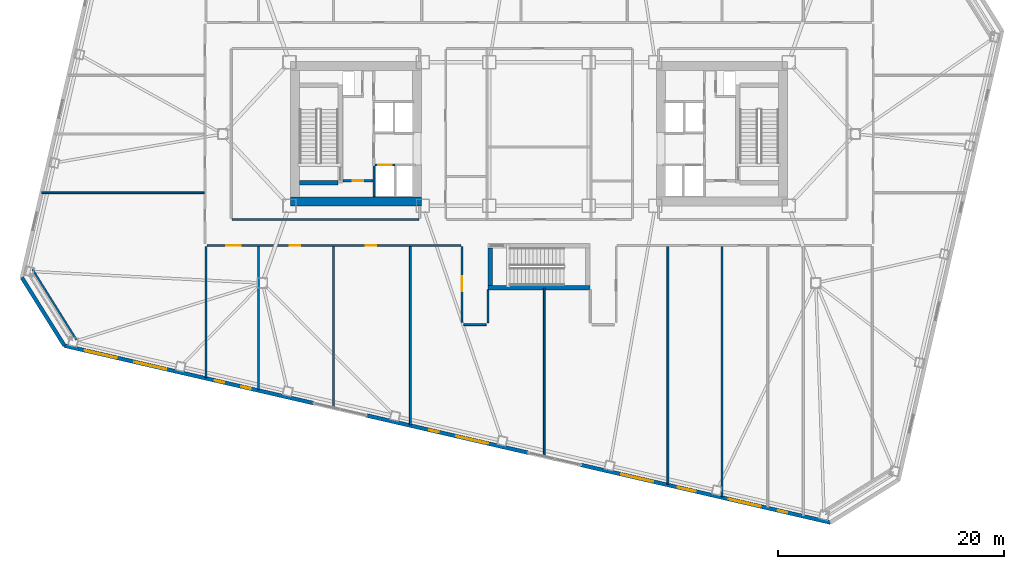
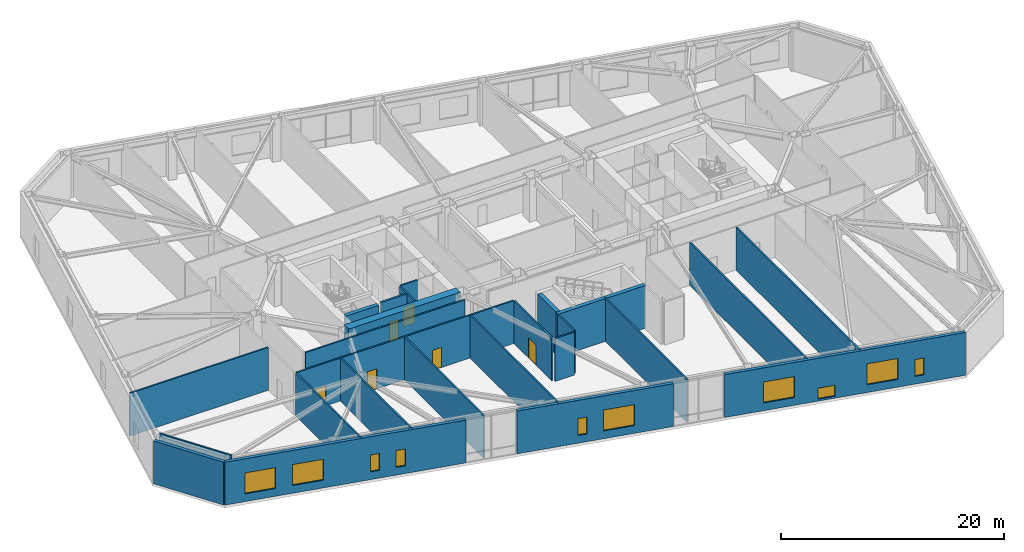
# One storey, part 9 of 20: 25 walls, 10 windows, 6 doors, 16 openings.
"""IFC4 building model written with IfcOpenShell, lengths in metres."""

from ifc_helpers import new_model, si_unit, direction, frame, frame_2d, origin, place, context, subcontext, project, spatial, rectangle, extrude, material, layer, layer_set, type_object, element, fill, save


model = new_model("IFC4")

# Units and contexts
model_context = context("Model", 3, precision=1e-05, world=origin(), true_north=direction((0.0, 1.0)))
body_context = subcontext(model_context, "Body", "Model", "MODEL_VIEW")
ifc_project = project(units=[si_unit("LENGTHUNIT", "METRE"), si_unit("AREAUNIT", "SQUARE_METRE"), si_unit("VOLUMEUNIT", "CUBIC_METRE"), si_unit("PLANEANGLEUNIT", "RADIAN"), si_unit("MASSUNIT", "GRAM", prefix="KILO")], contexts=[model_context])

# Site, building, storey
site_placement = place(None, origin())
site = spatial("IfcSite", under=ifc_project, at=site_placement, CompositionType="ELEMENT")
building_placement = place(site_placement, origin())
building = spatial("IfcBuilding", under=site, at=building_placement, Name="Tavrogorsk Clinical Tower", CompositionType="ELEMENT")
storey_placement = place(building_placement, frame((0.0, 0.0, 18.39990234375)))
storey = spatial("IfcBuildingStorey", under=building, at=storey_placement, Name="L03", CompositionType="ELEMENT", Elevation=18.39990234375)

# Wall, opening, door
ifc_material_1 = material(Name="Concrete B60", Category="concrete")
ifc_layer_1 = layer(ifc_material_1, 0.199951171875)
ifc_layer_set_1 = layer_set([ifc_layer_1], Name="Concrete B60")
wall_type_1 = type_object("IfcWallType", Name="CoreFireWall_200", PredefinedType="SOLIDWALL", material=ifc_layer_set_1)
wall_1_placement = place(storey_placement, frame((-17.3798828125, -4.139892578125, 0.0), z_axis=(0.0, 0.0, 1.0), x_axis=(1.0, 0.0, 0.0)))
wall_1 = element("IfcWall", 1, at=wall_1_placement, inside=storey, type_object=wall_type_1, Name="L03 Core West South Core Room Fire Wall", PredefinedType="SOLIDWALL", context=body_context, shape_type="SweptSolid", body=[
    extrude(rectangle(XDim=2.659912109375, YDim=0.199951171875, at=frame_2d((1.330078125, 0.0))), origin(), (0.0, 0.0, 1.0), 4.7001953125),
])
opening_1_placement = place(wall_1_placement, frame((0.8798828125, 0.0, 0.0)))
opening_1 = element("IfcOpeningElement", 2, at=opening_1_placement, cuts=wall_1, Name="Opening ID-02", PredefinedType="OPENING", context=body_context, shape_type="SweptSolid", body=[
    extrude(rectangle(XDim=0.949951171875, YDim=2.199951171875, at=frame_2d((0.47509765625, 1.10009765625))), frame((0.0, 0.10986328125, 0.0), z_axis=(0.0, -1.0, 0.0), x_axis=(1.0, 0.0, 0.0)), (0.0, 0.0, 1.0), 0.219970703125),
])
ifc_material_2 = material(Name="Laminated timber leaf on aluminium frame", Category="wood")
door_type_1 = type_object("IfcDoorType", Name="InteriorDoor_ID02_950", OperationType="NOTDEFINED", PredefinedType="DOOR", material=ifc_material_2)
door_1_placement = place(opening_1_placement, origin())
door_1 = element("IfcDoor", 3, at=door_1_placement, inside=storey, type_object=door_type_1, Name="L03 Core West South Core Room Door", OperationType="SINGLE_SWING_RIGHT", OverallHeight=2.199951171875, OverallWidth=0.949951171875, PredefinedType="DOOR", context=body_context, shape_type="SweptSolid", body=[
    extrude(rectangle(XDim=0.949951171875, YDim=2.199951171875, at=frame_2d((0.47509765625, 1.10009765625))), frame((0.0, 0.02490234375, 0.0), z_axis=(0.0, -1.0, 0.0), x_axis=(1.0, 0.0, 0.0)), (0.0, 0.0, 1.0), 0.050048828125),
])
fill(opening_1, door_1)

# Walls
ifc_material_3 = material(Name="Lightweight concrete blockwork B15", Category="masonry")
ifc_layer_2 = layer(ifc_material_3, 0.159912109375)
ifc_layer_set_2 = layer_set([ifc_layer_2], Name="Lightweight concrete blockwork B15")
wall_type_2 = type_object("IfcWallType", Name="PartitionWall_160", PredefinedType="PARTITIONING", material=ifc_layer_set_2)
wall_2_placement = place(storey_placement, frame((-44.85986328125, -11.9892578125, 0.0), z_axis=(0.0, 0.0, 1.0), x_axis=(0.52991239767, -0.848052386823, 0.0)))
element("IfcWall", 4, at=wall_2_placement, inside=storey, type_object=wall_type_2, Name="L03 Corner Exoskeleton Brace Furring Wall 4", PredefinedType="PARTITIONING", context=body_context, shape_type="SweptSolid", body=[
    extrude(rectangle(XDim=7.35400390625, YDim=0.159912109375, at=frame_2d((3.677001953125, 0.0))), origin(), (0.0, 0.0, 1.0), 4.7001953125),
])
wall_3_placement = place(storey_placement, frame((-4.52001953125, -13.800048828125, 0.0), z_axis=(0.0, 0.0, 1.0), x_axis=(0.0, -1.0, 0.0)))
element("IfcWall", 5, at=wall_3_placement, inside=storey, type_object=wall_type_2, Name="L03 Corridor Partition 08", PredefinedType="PARTITIONING", context=body_context, shape_type="SweptSolid", body=[
    extrude(rectangle(XDim=2.9150390625, YDim=0.159912109375, at=frame_2d((1.45751953125, 0.0))), origin(), (0.0, 0.0, 1.0), 4.7001953125),
])
wall_4_placement = place(storey_placement, frame((-4.68505859375, -16.8798828125, 0.0), z_axis=(0.0, 0.0, 1.0), x_axis=(-1.0, 0.0, 0.0)))
element("IfcWall", 6, at=wall_4_placement, inside=storey, type_object=wall_type_2, Name="L03 Corridor Partition 09", PredefinedType="PARTITIONING", context=body_context, shape_type="SweptSolid", body=[
    extrude(rectangle(XDim=1.97998046875, YDim=0.159912109375, at=frame_2d((0.989990234375, 0.0))), origin(), (0.0, 0.0, 1.0), 4.7001953125),
])

# Wall, opening, door
wall_5_placement = place(storey_placement, frame((-6.830078125, -16.715087890625, 0.0), z_axis=(0.0, 0.0, 1.0), x_axis=(0.0, 1.0, 0.0)))
wall_5 = element("IfcWall", 7, at=wall_5_placement, inside=storey, type_object=wall_type_2, Name="L03 Corridor Partition 10", PredefinedType="PARTITIONING", context=body_context, shape_type="SweptSolid", body=[
    extrude(rectangle(XDim=6.75, YDim=0.159912109375, at=frame_2d((3.375, 0.0))), origin(), (0.0, 0.0, 1.0), 4.7001953125),
])
opening_2_placement = place(wall_5_placement, frame((2.81005859375, 0.0, 0.0)))
opening_2 = element("IfcOpeningElement", 8, at=opening_2_placement, cuts=wall_5, Name="Opening ID-01", PredefinedType="OPENING", context=body_context, shape_type="SweptSolid", body=[
    extrude(rectangle(XDim=1.300048828125, YDim=2.199951171875, at=frame_2d((0.64990234375, 1.10009765625))), frame((0.0, 0.08984375, 0.0), z_axis=(0.0, -1.0, 0.0), x_axis=(1.0, 0.0, 0.0)), (0.0, 0.0, 1.0), 0.179931640625),
])
ifc_material_4 = material(Name="Antibacterial HPL medical leaf on aluminium frame", Category="aluminium")
door_type_2 = type_object("IfcDoorType", Name="WardBedDoor_ID01_1300", OperationType="NOTDEFINED", PredefinedType="DOOR", material=ifc_material_4)
door_2_placement = place(opening_2_placement, origin())
door_2 = element("IfcDoor", 9, at=door_2_placement, inside=storey, type_object=door_type_2, Name="L03 South Surgical Post-Anaesthesia Recovery 04A Door", OperationType="SINGLE_SWING_RIGHT", OverallHeight=2.199951171875, OverallWidth=1.300048828125, PredefinedType="DOOR", context=body_context, shape_type="SweptSolid", body=[
    extrude(rectangle(XDim=1.300048828125, YDim=2.199951171875, at=frame_2d((0.64990234375, 1.10009765625))), frame((0.0, 0.02490234375, 0.0), z_axis=(0.0, -1.0, 0.0), x_axis=(1.0, 0.0, 0.0)), (0.0, 0.0, 1.0), 0.050048828125),
])
fill(opening_2, door_2)

# Wall, openings, doors
wall_6_placement = place(storey_placement, frame((-6.9150390625, -9.8798828125, 0.0), z_axis=(0.0, 0.0, 1.0), x_axis=(-1.0, 0.0, 0.0)))
wall_6 = element("IfcWall", 10, at=wall_6_placement, inside=storey, type_object=wall_type_2, Name="L03 Corridor Partition 11", PredefinedType="PARTITIONING", context=body_context, shape_type="SweptSolid", body=[
    extrude(rectangle(XDim=22.5, YDim=0.159912109375, at=frame_2d((11.25, 0.0))), origin(), (0.0, 0.0, 1.0), 4.7001953125),
])
opening_3_placement = place(wall_6_placement, frame((19.5009765625, 0.0, 0.0)))
opening_3 = element("IfcOpeningElement", 11, at=opening_3_placement, cuts=wall_6, Name="Opening ID-01", PredefinedType="OPENING", context=body_context, shape_type="SweptSolid", body=[
    extrude(rectangle(XDim=1.300048828125, YDim=2.199951171875, at=frame_2d((0.64990234375, 1.10009765625))), frame((0.0, 0.08984375, 0.0), z_axis=(0.0, -1.0, 0.0), x_axis=(1.0, 0.0, 0.0)), (0.0, 0.0, 1.0), 0.179931640625),
])
opening_4_placement = place(wall_6_placement, frame((14.219970703125, 0.0, 0.0)))
opening_4 = element("IfcOpeningElement", 12, at=opening_4_placement, cuts=wall_6, Name="Opening ID-02", PredefinedType="OPENING", context=body_context, shape_type="SweptSolid", body=[
    extrude(rectangle(XDim=0.949951171875, YDim=2.199951171875, at=frame_2d((0.47509765625, 1.10009765625))), frame((0.0, 0.08984375, 0.0), z_axis=(0.0, -1.0, 0.0), x_axis=(1.0, 0.0, 0.0)), (0.0, 0.0, 1.0), 0.179931640625),
])
opening_5_placement = place(wall_6_placement, frame((7.4951171875, 0.0, 0.0)))
opening_5 = element("IfcOpeningElement", 13, at=opening_5_placement, cuts=wall_6, Name="Opening ID-02", PredefinedType="OPENING", context=body_context, shape_type="SweptSolid", body=[
    extrude(rectangle(XDim=0.949951171875, YDim=2.199951171875, at=frame_2d((0.47509765625, 1.10009765625))), frame((0.0, 0.08984375, 0.0), z_axis=(0.0, -1.0, 0.0), x_axis=(1.0, 0.0, 0.0)), (0.0, 0.0, 1.0), 0.179931640625),
])
door_3_placement = place(opening_4_placement, origin())
door_3 = element("IfcDoor", 14, at=door_3_placement, inside=storey, type_object=door_type_1, Name="L03 South Soiled Theatre Sluice Room 02 Door", OperationType="SINGLE_SWING_RIGHT", OverallHeight=2.199951171875, OverallWidth=0.949951171875, PredefinedType="DOOR", context=body_context, shape_type="SweptSolid", body=[
    extrude(rectangle(XDim=0.949951171875, YDim=2.199951171875, at=frame_2d((0.47509765625, 1.10009765625))), frame((0.0, 0.02490234375, 0.0), z_axis=(0.0, -1.0, 0.0), x_axis=(1.0, 0.0, 0.0)), (0.0, 0.0, 1.0), 0.050048828125),
])
fill(opening_4, door_3)
door_4_placement = place(opening_5_placement, origin())
door_4 = element("IfcDoor", 15, at=door_4_placement, inside=storey, type_object=door_type_1, Name="L03 South Perioperative Charge Office 03 Door", OperationType="SINGLE_SWING_LEFT", OverallHeight=2.199951171875, OverallWidth=0.949951171875, PredefinedType="DOOR", context=body_context, shape_type="SweptSolid", body=[
    extrude(rectangle(XDim=0.949951171875, YDim=2.199951171875, at=frame_2d((0.47509765625, 1.10009765625))), frame((0.0, 0.02490234375, 0.0), z_axis=(0.0, -1.0, 0.0), x_axis=(1.0, 0.0, 0.0)), (0.0, 0.0, 1.0), 0.050048828125),
])
fill(opening_5, door_4)
door_5_placement = place(opening_3_placement, origin())
door_5 = element("IfcDoor", 16, at=door_5_placement, inside=storey, type_object=door_type_2, Name="L03 South Surgical Post-Anaesthesia Recovery 01 Door", OperationType="SINGLE_SWING_LEFT", OverallHeight=2.199951171875, OverallWidth=1.300048828125, PredefinedType="DOOR", context=body_context, shape_type="SweptSolid", body=[
    extrude(rectangle(XDim=1.300048828125, YDim=2.199951171875, at=frame_2d((0.64990234375, 1.10009765625))), frame((0.0, 0.02490234375, 0.0), z_axis=(0.0, -1.0, 0.0), x_axis=(1.0, 0.0, 0.0)), (0.0, 0.0, 1.0), 0.050048828125),
])
fill(opening_3, door_5)

# Walls
wall_7_placement = place(storey_placement, frame((-27.18505859375, -7.570068359375, 0.0), z_axis=(0.0, 0.0, 1.0), x_axis=(1.0, 0.0, 0.0)))
element("IfcWall", 17, at=wall_7_placement, inside=storey, type_object=wall_type_2, Name="L03 Corridor Partition 25", PredefinedType="PARTITIONING", context=body_context, shape_type="SweptSolid", body=[
    extrude(rectangle(XDim=16.52001953125, YDim=0.159912109375, at=frame_2d((8.260009765625, 0.0))), origin(), (0.0, 0.0, 1.0), 4.7001953125),
])
wall_8_placement = place(storey_placement, frame((-29.5, -21.570556640625, 0.0), z_axis=(0.0, 0.0, 1.0), x_axis=(0.0, 1.0, 0.0)))
element("IfcWall", 18, at=wall_8_placement, inside=storey, type_object=wall_type_2, Name="L03 SW Wing Closure Partition", PredefinedType="PARTITIONING", context=body_context, shape_type="SweptSolid", body=[
    extrude(rectangle(XDim=11.60546875, YDim=0.159912109375, at=frame_2d((5.802734375, 0.0))), origin(), (0.0, 0.0, 1.0), 4.7001953125),
])
wall_9_placement = place(storey_placement, frame((-24.85009765625, -22.64404296875, 0.0), z_axis=(0.0, 0.0, 1.0), x_axis=(0.0, 1.0, 0.0)))
element("IfcWall", 19, at=wall_9_placement, inside=storey, type_object=wall_type_2, Name="L03 South Room Partition 1", PredefinedType="PARTITIONING", context=body_context, shape_type="SweptSolid", body=[
    extrude(rectangle(XDim=12.678955078125, YDim=0.159912109375, at=frame_2d((6.33935546875, 0.0))), origin(), (0.0, 0.0, 1.0), 4.7001953125),
])
wall_10_placement = place(storey_placement, frame((-18.199951171875, -24.179443359375, 0.0), z_axis=(0.0, 0.0, 1.0), x_axis=(0.0, 1.0, 0.0)))
element("IfcWall", 20, at=wall_10_placement, inside=storey, type_object=wall_type_2, Name="L03 South Room Partition 2", PredefinedType="PARTITIONING", context=body_context, shape_type="SweptSolid", body=[
    extrude(rectangle(XDim=14.21435546875, YDim=0.159912109375, at=frame_2d((7.107177734375, 0.0))), origin(), (0.0, 0.0, 1.0), 4.7001953125),
])
wall_11_placement = place(storey_placement, frame((-11.39990234375, -25.749267578125, 0.0), z_axis=(0.0, 0.0, 1.0), x_axis=(0.0, 1.0, 0.0)))
element("IfcWall", 21, at=wall_11_placement, inside=storey, type_object=wall_type_2, Name="L03 South Room Partition 3", PredefinedType="PARTITIONING", context=body_context, shape_type="SweptSolid", body=[
    extrude(rectangle(XDim=15.7841796875, YDim=0.159912109375, at=frame_2d((7.89208984375, 0.0))), origin(), (0.0, 0.0, 1.0), 4.7001953125),
])
wall_12_placement = place(storey_placement, frame((11.39990234375, -31.01318359375, 0.0), z_axis=(0.0, 0.0, 1.0), x_axis=(0.0, 1.0, 0.0)))
element("IfcWall", 22, at=wall_12_placement, inside=storey, type_object=wall_type_2, Name="L03 South Room Partition 4", PredefinedType="PARTITIONING", context=body_context, shape_type="SweptSolid", body=[
    extrude(rectangle(XDim=21.048095703125, YDim=0.159912109375, at=frame_2d((10.52392578125, 0.0))), origin(), (0.0, 0.0, 1.0), 4.7001953125),
])
wall_13_placement = place(storey_placement, frame((16.199951171875, -32.12109375, 0.0), z_axis=(0.0, 0.0, 1.0), x_axis=(0.0, 1.0, 0.0)))
element("IfcWall", 23, at=wall_13_placement, inside=storey, type_object=wall_type_2, Name="L03 South Room Partition 5", PredefinedType="PARTITIONING", context=body_context, shape_type="SweptSolid", body=[
    extrude(rectangle(XDim=22.156005859375, YDim=0.159912109375, at=frame_2d((11.078125, 0.0))), origin(), (0.0, 0.0, 1.0), 4.7001953125),
])
wall_14_placement = place(storey_placement, frame((0.449951171875, -28.485107421875, 0.0), z_axis=(0.0, 0.0, 1.0), x_axis=(0.0, 1.0, 0.0)))
element("IfcWall", 24, at=wall_14_placement, inside=storey, type_object=wall_type_2, Name="L03 South Sub-Partition 4", PredefinedType="PARTITIONING", context=body_context, shape_type="SweptSolid", body=[
    extrude(rectangle(XDim=14.84521484375, YDim=0.159912109375, at=frame_2d((7.422607421875, 0.0))), origin(), (0.0, 0.0, 1.0), 4.7001953125),
])
wall_15_placement = place(storey_placement, frame((-44.0419921875, -5.199951171875, 0.0), z_axis=(0.0, 0.0, 1.0), x_axis=(1.0, 0.0, 0.0)))
element("IfcWall", 25, at=wall_15_placement, inside=storey, type_object=wall_type_2, Name="L03 W Wing Divider 1", PredefinedType="PARTITIONING", context=body_context, shape_type="SweptSolid", body=[
    extrude(rectangle(XDim=14.376953125, YDim=0.159912109375, at=frame_2d((7.1884765625, 0.0))), origin(), (0.0, 0.0, 1.0), 4.7001953125),
])

# Wall, openings, windows
ifc_material_5 = material(Name="Precast concrete B45 with limestone cladding", Category="masonry")
ifc_layer_3 = layer(ifc_material_5, 0.340087890625)
ifc_layer_set_3 = layer_set([ifc_layer_3], Name="Precast concrete B45 with limestone cladding")
wall_type_3 = type_object("IfcWallType", Name="PrecastLimestoneWall_340", PredefinedType="STANDARD", material=ifc_layer_set_3)
wall_16_placement = place(storey_placement, frame((-42.028564453125, -18.75, 0.0), z_axis=(0.0, 0.0, 1.0), x_axis=(0.97436993772, -0.224951604723, 0.0)))
wall_16 = element("IfcWall", 26, at=wall_16_placement, inside=storey, type_object=wall_type_3, Name="L03 S Limestone Facade Wall 1", PredefinedType="STANDARD", context=body_context, shape_type="SweptSolid", body=[
    extrude(rectangle(XDim=22.6513671875, YDim=0.340087890625, at=frame_2d((11.32568359375, 0.0))), origin(), (0.0, 0.0, 1.0), 4.7001953125),
])
opening_6_placement = place(wall_16_placement, frame((1.862060546875, 0.0, 0.85009765625)))
opening_6 = element("IfcOpeningElement", 27, at=opening_6_placement, cuts=wall_16, Name="Opening WN-10", PredefinedType="OPENING", context=body_context, shape_type="SweptSolid", body=[
    extrude(rectangle(XDim=2.89990234375, YDim=2.300048828125, at=frame_2d((1.449951171875, 1.14990234375))), frame((0.0, 0.179931640625, 0.0), z_axis=(0.0, -1.0, 0.0), x_axis=(1.0, 0.0, 0.0)), (0.0, 0.0, 1.0), 0.360107421875),
])
opening_7_placement = place(wall_16_placement, frame((6.346435546875, 0.0, 0.85009765625)))
opening_7 = element("IfcOpeningElement", 28, at=opening_7_placement, cuts=wall_16, Name="Opening WN-10", PredefinedType="OPENING", context=body_context, shape_type="SweptSolid", body=[
    extrude(rectangle(XDim=2.89990234375, YDim=2.300048828125, at=frame_2d((1.449951171875, 1.14990234375))), frame((0.0, 0.179931640625, 0.0), z_axis=(0.0, -1.0, 0.0), x_axis=(1.0, 0.0, 0.0)), (0.0, 0.0, 1.0), 0.360107421875),
])
opening_8_placement = place(wall_16_placement, frame((13.66064453125, 0.0, 0.85009765625)))
opening_8 = element("IfcOpeningElement", 29, at=opening_8_placement, cuts=wall_16, Name="Opening WN-06", PredefinedType="OPENING", context=body_context, shape_type="SweptSolid", body=[
    extrude(rectangle(XDim=0.85009765625, YDim=1.85009765625, at=frame_2d((0.425048828125, 0.925048828125))), frame((0.0, 0.179931640625, 0.0), z_axis=(0.0, -1.0, 0.0), x_axis=(1.0, 0.0, 0.0)), (0.0, 0.0, 1.0), 0.360107421875),
])
opening_9_placement = place(wall_16_placement, frame((16.094970703125, 0.0, 0.85009765625)))
opening_9 = element("IfcOpeningElement", 30, at=opening_9_placement, cuts=wall_16, Name="Opening WN-06", PredefinedType="OPENING", context=body_context, shape_type="SweptSolid", body=[
    extrude(rectangle(XDim=0.85009765625, YDim=1.85009765625, at=frame_2d((0.425048828125, 0.925048828125))), frame((0.0, 0.179931640625, 0.0), z_axis=(0.0, -1.0, 0.0), x_axis=(1.0, 0.0, 0.0)), (0.0, 0.0, 1.0), 0.360107421875),
])
ifc_material_6 = material(Name="Thermally broken aluminium frame and triple IGU", Category="aluminium")
window_type_1 = type_object("IfcWindowType", Name="DiagnosticWin_2900x2300", PartitioningType="TRIPLE_PANEL_HORIZONTAL", PredefinedType="WINDOW", material=ifc_material_6)
window_1_placement = place(opening_6_placement, origin())
window_1 = element("IfcWindow", 31, at=window_1_placement, inside=storey, type_object=window_type_1, Name="L03 S Chicago Window 01", OverallHeight=2.300048828125, OverallWidth=2.89990234375, PartitioningType="SINGLE_PANEL", PredefinedType="WINDOW", context=body_context, shape_type="SweptSolid", body=[
    extrude(rectangle(XDim=2.89990234375, YDim=2.300048828125, at=frame_2d((1.449951171875, 1.14990234375))), frame((0.0, 0.030029296875, 0.0), z_axis=(0.0, -1.0, 0.0), x_axis=(1.0, 0.0, 0.0)), (0.0, 0.0, 1.0), 0.06005859375),
])
fill(opening_6, window_1)
window_2_placement = place(opening_7_placement, origin())
window_2 = element("IfcWindow", 32, at=window_2_placement, inside=storey, type_object=window_type_1, Name="L03 S Chicago Window 02", OverallHeight=2.300048828125, OverallWidth=2.89990234375, PartitioningType="SINGLE_PANEL", PredefinedType="WINDOW", context=body_context, shape_type="SweptSolid", body=[
    extrude(rectangle(XDim=2.89990234375, YDim=2.300048828125, at=frame_2d((1.449951171875, 1.14990234375))), frame((0.0, 0.030029296875, 0.0), z_axis=(0.0, -1.0, 0.0), x_axis=(1.0, 0.0, 0.0)), (0.0, 0.0, 1.0), 0.06005859375),
])
fill(opening_7, window_2)
ifc_material_7 = material(Name="Thermally broken aluminium frame and triple IGU", Category="aluminium")
window_type_2 = type_object("IfcWindowType", Name="MullionSubWin_850x1850", PartitioningType="SINGLE_PANEL", PredefinedType="WINDOW", material=ifc_material_7)
window_3_placement = place(opening_8_placement, origin())
window_3 = element("IfcWindow", 33, at=window_3_placement, inside=storey, type_object=window_type_2, Name="L03 S Mullion Split Window 03B", OverallHeight=1.85009765625, OverallWidth=0.85009765625, PartitioningType="SINGLE_PANEL", PredefinedType="WINDOW", context=body_context, shape_type="SweptSolid", body=[
    extrude(rectangle(XDim=0.85009765625, YDim=1.85009765625, at=frame_2d((0.425048828125, 0.925048828125))), frame((0.0, 0.030029296875, 0.0), z_axis=(0.0, -1.0, 0.0), x_axis=(1.0, 0.0, 0.0)), (0.0, 0.0, 1.0), 0.06005859375),
])
fill(opening_8, window_3)
window_4_placement = place(opening_9_placement, origin())
window_4 = element("IfcWindow", 34, at=window_4_placement, inside=storey, type_object=window_type_2, Name="L03 S Mullion Split Window 04A", OverallHeight=1.85009765625, OverallWidth=0.85009765625, PartitioningType="SINGLE_PANEL", PredefinedType="WINDOW", context=body_context, shape_type="SweptSolid", body=[
    extrude(rectangle(XDim=0.85009765625, YDim=1.85009765625, at=frame_2d((0.425048828125, 0.925048828125))), frame((0.0, 0.030029296875, 0.0), z_axis=(0.0, -1.0, 0.0), x_axis=(1.0, 0.0, 0.0)), (0.0, 0.0, 1.0), 0.06005859375),
])
fill(opening_9, window_4)

wall_17_placement = place(storey_placement, frame((-15.28076171875, -24.925048828125, 0.0), z_axis=(0.0, 0.0, 1.0), x_axis=(0.974370193991, -0.22495049469, 0.0)))
wall_17 = element("IfcWall", 35, at=wall_17_placement, inside=storey, type_object=wall_type_3, Name="L03 S Limestone Facade Wall 2", PredefinedType="STANDARD", context=body_context, shape_type="SweptSolid", body=[
    extrude(rectangle(XDim=14.697265625, YDim=0.340087890625, at=frame_2d((7.3486328125, 0.0))), origin(), (0.0, 0.0, 1.0), 4.7001953125),
])
opening_10_placement = place(wall_17_placement, frame((5.706298828125, 0.0, 0.85009765625)))
opening_10 = element("IfcOpeningElement", 36, at=opening_10_placement, cuts=wall_17, Name="Opening WN-06", PredefinedType="OPENING", context=body_context, shape_type="SweptSolid", body=[
    extrude(rectangle(XDim=0.85009765625, YDim=1.85009765625, at=frame_2d((0.425048828125, 0.925048828125))), frame((0.0, 0.179931640625, 0.0), z_axis=(0.0, -1.0, 0.0), x_axis=(1.0, 0.0, 0.0)), (0.0, 0.0, 1.0), 0.360107421875),
])
opening_11_placement = place(wall_17_placement, frame((8.140869140625, 0.0, 0.85009765625)))
opening_11 = element("IfcOpeningElement", 37, at=opening_11_placement, cuts=wall_17, Name="Opening WN-10", PredefinedType="OPENING", context=body_context, shape_type="SweptSolid", body=[
    extrude(rectangle(XDim=2.89990234375, YDim=2.300048828125, at=frame_2d((1.449951171875, 1.14990234375))), frame((0.0, 0.179931640625, 0.0), z_axis=(0.0, -1.0, 0.0), x_axis=(1.0, 0.0, 0.0)), (0.0, 0.0, 1.0), 0.360107421875),
])
window_5_placement = place(opening_11_placement, origin())
window_5 = element("IfcWindow", 38, at=window_5_placement, inside=storey, type_object=window_type_1, Name="L03 S Chicago Window 06", OverallHeight=2.300048828125, OverallWidth=2.89990234375, PartitioningType="SINGLE_PANEL", PredefinedType="WINDOW", context=body_context, shape_type="SweptSolid", body=[
    extrude(rectangle(XDim=2.89990234375, YDim=2.300048828125, at=frame_2d((1.449951171875, 1.14990234375))), frame((0.0, 0.030029296875, 0.0), z_axis=(0.0, -1.0, 0.0), x_axis=(1.0, 0.0, 0.0)), (0.0, 0.0, 1.0), 0.06005859375),
])
fill(opening_11, window_5)
window_6_placement = place(opening_10_placement, origin())
window_6 = element("IfcWindow", 39, at=window_6_placement, inside=storey, type_object=window_type_2, Name="L03 S Mullion Split Window 05B", OverallHeight=1.85009765625, OverallWidth=0.85009765625, PartitioningType="SINGLE_PANEL", PredefinedType="WINDOW", context=body_context, shape_type="SweptSolid", body=[
    extrude(rectangle(XDim=0.85009765625, YDim=1.85009765625, at=frame_2d((0.425048828125, 0.925048828125))), frame((0.0, 0.030029296875, 0.0), z_axis=(0.0, -1.0, 0.0), x_axis=(1.0, 0.0, 0.0)), (0.0, 0.0, 1.0), 0.06005859375),
])
fill(opening_10, window_6)

wall_18_placement = place(storey_placement, frame((3.716796875, -29.31103515625, 0.0), z_axis=(0.0, 0.0, 1.0), x_axis=(0.97436993772, -0.224951604723, 0.0)))
wall_18 = element("IfcWall", 40, at=wall_18_placement, inside=storey, type_object=wall_type_3, Name="L03 S Limestone Facade Wall 3", PredefinedType="STANDARD", context=body_context, shape_type="SweptSolid", body=[
    extrude(rectangle(XDim=22.6513671875, YDim=0.340087890625, at=frame_2d((11.32568359375, 0.0))), origin(), (0.0, 0.0, 1.0), 4.7001953125),
])
opening_12_placement = place(wall_18_placement, frame((3.656494140625, 0.0, 0.85009765625)))
opening_12 = element("IfcOpeningElement", 41, at=opening_12_placement, cuts=wall_18, Name="Opening WN-10", PredefinedType="OPENING", context=body_context, shape_type="SweptSolid", body=[
    extrude(rectangle(XDim=2.89990234375, YDim=2.300048828125, at=frame_2d((1.449951171875, 1.14990234375))), frame((0.0, 0.179931640625, 0.0), z_axis=(0.0, -1.0, 0.0), x_axis=(1.0, 0.0, 0.0)), (0.0, 0.0, 1.0), 0.360107421875),
])
opening_13_placement = place(wall_18_placement, frame((8.790771484375, 0.0, 0.219970703125)))
opening_13 = element("IfcOpeningElement", 42, at=opening_13_placement, cuts=wall_18, Name="Opening WN-09", PredefinedType="OPENING", context=body_context, shape_type="SweptSolid", body=[
    extrude(rectangle(XDim=1.60009765625, YDim=1.199951171875, at=frame_2d((0.800048828125, 0.60009765625))), frame((0.0, 0.179931640625, 0.0), z_axis=(0.0, -1.0, 0.0), x_axis=(1.0, 0.0, 0.0)), (0.0, 0.0, 1.0), 0.360107421875),
])
opening_14_placement = place(wall_18_placement, frame((13.40478515625, 0.0, 0.85009765625)))
opening_14 = element("IfcOpeningElement", 43, at=opening_14_placement, cuts=wall_18, Name="Opening WN-10", PredefinedType="OPENING", context=body_context, shape_type="SweptSolid", body=[
    extrude(rectangle(XDim=2.89990234375, YDim=2.300048828125, at=frame_2d((1.449951171875, 1.14990234375))), frame((0.0, 0.179931640625, 0.0), z_axis=(0.0, -1.0, 0.0), x_axis=(1.0, 0.0, 0.0)), (0.0, 0.0, 1.0), 0.360107421875),
])
opening_15_placement = place(wall_18_placement, frame((17.889404296875, 0.0, 0.85009765625)))
opening_15 = element("IfcOpeningElement", 44, at=opening_15_placement, cuts=wall_18, Name="Opening WN-06", PredefinedType="OPENING", context=body_context, shape_type="SweptSolid", body=[
    extrude(rectangle(XDim=0.85009765625, YDim=1.85009765625, at=frame_2d((0.425048828125, 0.925048828125))), frame((0.0, 0.179931640625, 0.0), z_axis=(0.0, -1.0, 0.0), x_axis=(1.0, 0.0, 0.0)), (0.0, 0.0, 1.0), 0.360107421875),
])
window_7_placement = place(opening_12_placement, origin())
window_7 = element("IfcWindow", 45, at=window_7_placement, inside=storey, type_object=window_type_1, Name="L03 S Chicago Window 07", OverallHeight=2.300048828125, OverallWidth=2.89990234375, PartitioningType="SINGLE_PANEL", PredefinedType="WINDOW", context=body_context, shape_type="SweptSolid", body=[
    extrude(rectangle(XDim=2.89990234375, YDim=2.300048828125, at=frame_2d((1.449951171875, 1.14990234375))), frame((0.0, 0.030029296875, 0.0), z_axis=(0.0, -1.0, 0.0), x_axis=(1.0, 0.0, 0.0)), (0.0, 0.0, 1.0), 0.06005859375),
])
fill(opening_12, window_7)
window_8_placement = place(opening_14_placement, origin())
window_8 = element("IfcWindow", 46, at=window_8_placement, inside=storey, type_object=window_type_1, Name="L03 S Chicago Window 09", OverallHeight=2.300048828125, OverallWidth=2.89990234375, PartitioningType="SINGLE_PANEL", PredefinedType="WINDOW", context=body_context, shape_type="SweptSolid", body=[
    extrude(rectangle(XDim=2.89990234375, YDim=2.300048828125, at=frame_2d((1.449951171875, 1.14990234375))), frame((0.0, 0.030029296875, 0.0), z_axis=(0.0, -1.0, 0.0), x_axis=(1.0, 0.0, 0.0)), (0.0, 0.0, 1.0), 0.06005859375),
])
fill(opening_14, window_8)
ifc_material_8 = material(Name="Thermally broken aluminium frame and triple IGU", Category="aluminium")
window_type_3 = type_object("IfcWindowType", Name="LowHeadTransWin_1600x1200", PartitioningType="DOUBLE_PANEL_VERTICAL", PredefinedType="WINDOW", material=ifc_material_8)
window_9_placement = place(opening_13_placement, origin())
window_9 = element("IfcWindow", 47, at=window_9_placement, inside=storey, type_object=window_type_3, Name="L03 S Chicago Window 08", OverallHeight=1.199951171875, OverallWidth=1.60009765625, PartitioningType="SINGLE_PANEL", PredefinedType="WINDOW", context=body_context, shape_type="SweptSolid", body=[
    extrude(rectangle(XDim=1.60009765625, YDim=1.199951171875, at=frame_2d((0.800048828125, 0.60009765625))), frame((0.0, 0.030029296875, 0.0), z_axis=(0.0, -1.0, 0.0), x_axis=(1.0, 0.0, 0.0)), (0.0, 0.0, 1.0), 0.06005859375),
])
fill(opening_13, window_9)
window_10_placement = place(opening_15_placement, origin())
window_10 = element("IfcWindow", 48, at=window_10_placement, inside=storey, type_object=window_type_2, Name="L03 S Mullion Split Window 10A", OverallHeight=1.85009765625, OverallWidth=0.85009765625, PartitioningType="SINGLE_PANEL", PredefinedType="WINDOW", context=body_context, shape_type="SweptSolid", body=[
    extrude(rectangle(XDim=0.85009765625, YDim=1.85009765625, at=frame_2d((0.425048828125, 0.925048828125))), frame((0.0, 0.030029296875, 0.0), z_axis=(0.0, -1.0, 0.0), x_axis=(1.0, 0.0, 0.0)), (0.0, 0.0, 1.0), 0.06005859375),
])
fill(opening_15, window_10)

# Wall
wall_19_placement = place(storey_placement, frame((-45.798095703125, -12.71728515625, 0.0), z_axis=(0.0, 0.0, 1.0), x_axis=(0.529906387556, -0.848056142261, 0.0)))
element("IfcWall", 49, at=wall_19_placement, inside=storey, type_object=wall_type_3, Name="L03 Chamfered Corner Wall 4", PredefinedType="STANDARD", context=body_context, shape_type="SweptSolid", body=[
    extrude(rectangle(XDim=7.113525390625, YDim=0.340087890625, at=frame_2d((3.556640625, 0.0))), origin(), (0.0, 0.0, 1.0), 4.7001953125),
])

# Wall, opening, door
ifc_material_9 = material(Name="Lightweight concrete blockwork B25", Category="masonry")
ifc_layer_4 = layer(ifc_material_9, 0.159912109375)
ifc_layer_set_4 = layer_set([ifc_layer_4], Name="Lightweight concrete blockwork B25")
wall_type_4 = type_object("IfcWallType", Name="ShaftWall_160", PredefinedType="PARTITIONING", material=ifc_layer_set_4)
wall_20_placement = place(storey_placement, frame((-14.530029296875, -2.75, 0.0), z_axis=(0.0, 0.0, 1.0), x_axis=(1.0, 0.0, 0.0)))
wall_20 = element("IfcWall", 50, at=wall_20_placement, inside=storey, type_object=wall_type_4, Name="L03 LP-L1 Lift Shaft Portal Wall", PredefinedType="PARTITIONING", context=body_context, shape_type="SweptSolid", body=[
    extrude(rectangle(XDim=1.760009765625, YDim=0.159912109375, at=frame_2d((0.8798828125, 0.0))), origin(), (0.0, 0.0, 1.0), 4.7001953125),
])
opening_16_placement = place(wall_20_placement, frame((0.280029296875, 0.0, 0.0)))
opening_16 = element("IfcOpeningElement", 51, at=opening_16_placement, cuts=wall_20, Name="Opening LD", PredefinedType="OPENING", context=body_context, shape_type="SweptSolid", body=[
    extrude(rectangle(XDim=1.199951171875, YDim=2.199951171875, at=frame_2d((0.60009765625, 1.10009765625))), frame((0.0, 0.08984375, 0.0), z_axis=(0.0, -1.0, 0.0), x_axis=(1.0, 0.0, 0.0)), (0.0, 0.0, 1.0), 0.179931640625),
])
ifc_material_10 = material(Name="Brushed stainless steel AISI 304 sliding doors", Category="steel")
door_type_3 = type_object("IfcDoorType", Name="LiftLandingDoor_LD_1200", OperationType="SLIDING_TO_LEFT", PredefinedType="DOOR", material=ifc_material_10)
door_6_placement = place(opening_16_placement, origin())
door_6 = element("IfcDoor", 52, at=door_6_placement, inside=storey, type_object=door_type_3, Name="L03 LP-L1 Sliding Lift Landing Door", OperationType="SLIDING_TO_LEFT", OverallHeight=2.199951171875, OverallWidth=1.199951171875, PredefinedType="DOOR", context=body_context, shape_type="SweptSolid", body=[
    extrude(rectangle(XDim=1.199951171875, YDim=2.199951171875, at=frame_2d((0.60009765625, 1.10009765625))), frame((0.0, 0.02490234375, 0.0), z_axis=(0.0, -1.0, 0.0), x_axis=(1.0, 0.0, 0.0)), (0.0, 0.0, 1.0), 0.050048828125),
])
fill(opening_16, door_6)

# Walls
wall_21_placement = place(storey_placement, frame((-14.610107421875, -5.5400390625, 0.0), z_axis=(0.0, 0.0, 1.0), x_axis=(0.0, 1.0, 0.0)))
element("IfcWall", 53, at=wall_21_placement, inside=storey, type_object=wall_type_4, Name="L03 LP-L1 Lift Hoistway Outer Cheek Wall", PredefinedType="PARTITIONING", context=body_context, shape_type="SweptSolid", body=[
    extrude(rectangle(XDim=2.699951171875, YDim=0.159912109375, at=frame_2d((1.35009765625, 0.0))), origin(), (0.0, 0.0, 1.0), 4.7001953125),
])
ifc_material_11 = material(Name="Concrete B80", Category="concrete")
ifc_layer_5 = layer(ifc_material_11, 0.39990234375)
ifc_layer_set_5 = layer_set([ifc_layer_5], Name="Concrete B80")
wall_type_5 = type_object("IfcWallType", Name="ShearWall_400", PredefinedType="SHEAR", material=ifc_layer_set_5)
wall_22_placement = place(storey_placement, frame((-21.199951171875, -4.324951171875, 0.0), z_axis=(0.0, 0.0, 1.0), x_axis=(1.0, 0.0, 0.0)))
element("IfcWall", 54, at=wall_22_placement, inside=storey, type_object=wall_type_5, Name="L03 Core West Stair Shaft South Shear Wall", PredefinedType="SHEAR", context=body_context, shape_type="SweptSolid", body=[
    extrude(rectangle(XDim=3.39990234375, YDim=0.39990234375, at=frame_2d((1.699951171875, 0.0))), origin(), (0.0, 0.0, 1.0), 4.7001953125),
])
wall_23_placement = place(storey_placement, frame((-4.52490234375, -13.60009765625, 0.0), z_axis=(0.0, 0.0, 1.0), x_axis=(1.0, 0.0, 0.0)))
element("IfcWall", 55, at=wall_23_placement, inside=storey, type_object=wall_type_5, Name="L03 Podium Stair South Shaft Wall", PredefinedType="SHEAR", context=body_context, shape_type="SweptSolid", body=[
    extrude(rectangle(XDim=9.0498046875, YDim=0.39990234375, at=frame_2d((4.52490234375, 0.0))), origin(), (0.0, 0.0, 1.0), 4.7001953125),
])
wall_24_placement = place(storey_placement, frame((-4.324951171875, -13.39990234375, 0.0), z_axis=(0.0, 0.0, 1.0), x_axis=(0.0, 1.0, 0.0)))
element("IfcWall", 56, at=wall_24_placement, inside=storey, type_object=wall_type_5, Name="L03 Podium Stair West Shaft Wall", PredefinedType="SHEAR", context=body_context, shape_type="SweptSolid", body=[
    extrude(rectangle(XDim=3.2998046875, YDim=0.39990234375, at=frame_2d((1.64990234375, 0.0))), origin(), (0.0, 0.0, 1.0), 4.7001953125),
])
ifc_material_12 = material(Name="Concrete B80", Category="concrete")
ifc_layer_6 = layer(ifc_material_12, 0.800048828125)
ifc_layer_set_6 = layer_set([ifc_layer_6], Name="Concrete B80")
wall_type_6 = type_object("IfcWallType", Name="ShearWall_800", PredefinedType="SHEAR", material=ifc_layer_set_6)
wall_25_placement = place(storey_placement, frame((-22.0, -6.0, 0.0), z_axis=(0.0, 0.0, 1.0), x_axis=(1.0, 0.0, 0.0)))
element("IfcWall", 57, at=wall_25_placement, inside=storey, type_object=wall_type_6, Name="L03 Core West South Shear Wall", PredefinedType="SHEAR", context=body_context, shape_type="SweptSolid", body=[
    extrude(rectangle(XDim=11.60009765625, YDim=0.800048828125, at=frame_2d((5.800048828125, 0.0))), origin(), (0.0, 0.0, 1.0), 4.7001953125),
])

save(model, "model.ifc")
